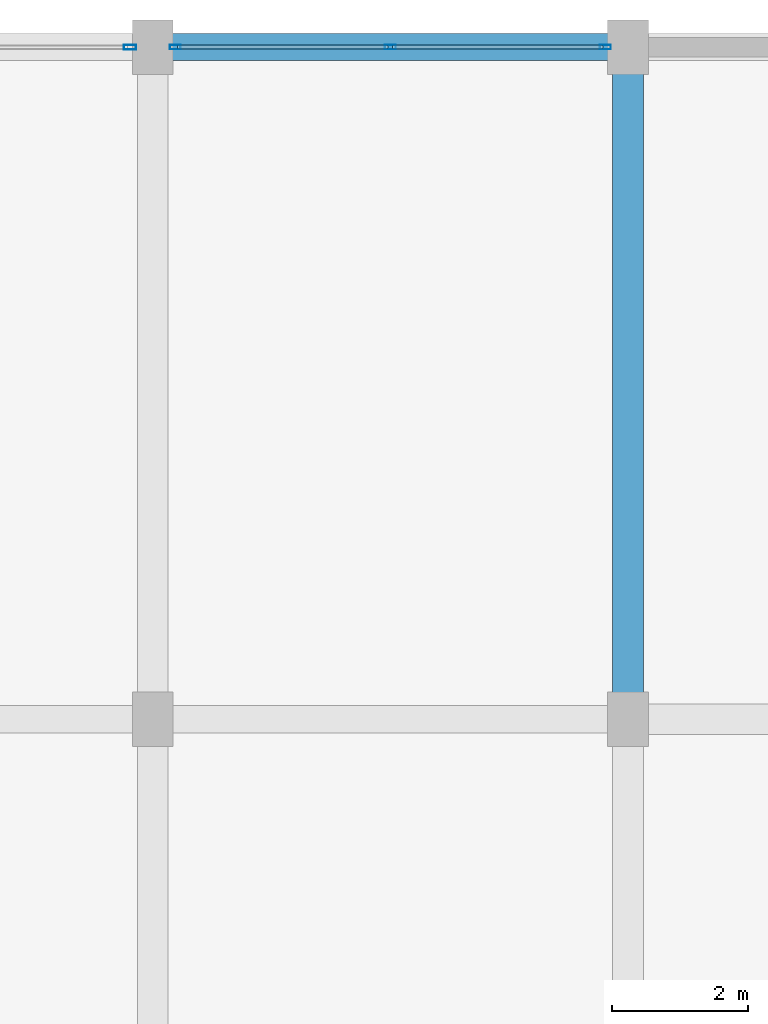
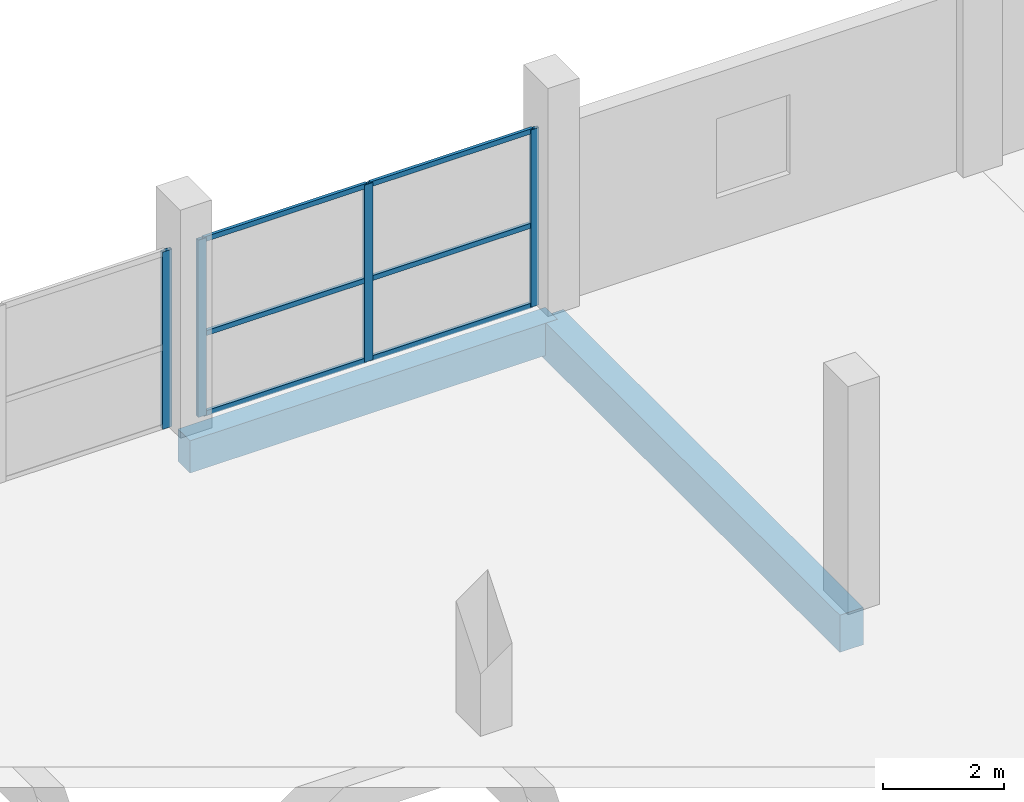
# One storey, part 33 of 58: 10 members, 2 beams, 2 elements without a shape of their own.
"""IFC4 building model written with IfcOpenShell, lengths in metres."""

from ifc_helpers import new_model, si_unit, direction, frame, origin, origin_2d, place, context, subcontext, project, spatial, rectangle, hollow_rectangle, extrude, material, layer, layer_set, material_profile, profile_set, type_object, element, aggregate, save


model = new_model("IFC4")

# Units and contexts
model_context = context("Model", 3, precision=1e-05, world=origin(), true_north=direction((0.0, 1.0)))
body_context = subcontext(model_context, "Body", "Model", "MODEL_VIEW")
ifc_project = project(units=[si_unit("LENGTHUNIT", "METRE"), si_unit("AREAUNIT", "SQUARE_METRE"), si_unit("VOLUMEUNIT", "CUBIC_METRE"), si_unit("PLANEANGLEUNIT", "RADIAN"), si_unit("MASSUNIT", "GRAM", prefix="KILO")], contexts=[model_context])

# Site, building, storey
site_placement = place(None, origin())
site = spatial("IfcSite", under=ifc_project, at=site_placement, CompositionType="ELEMENT")
building_placement = place(site_placement, origin())
building = spatial("IfcBuilding", under=site, at=building_placement, Name="Sillaruma Civic Art Gallery", CompositionType="ELEMENT")
storey_placement = place(building_placement, frame((0.0, 0.0, 28.56005859375)))
storey = spatial("IfcBuildingStorey", under=building, at=storey_placement, Name="L05", CompositionType="ELEMENT", Elevation=28.56005859375)

# Beams
ifc_material_1 = material(Name="Concrete H40 (40 MPa)", Category="concrete")
ifc_material_profile_1 = material_profile(ifc_material_1, rectangle(XDim=0.449951171875, YDim=0.75, at=origin_2d()), Name="RCB450x750")
ifc_profile_set_1 = profile_set([ifc_material_profile_1], Name="Concrete H40 (40 MPa)")
beam_type_1 = type_object("IfcBeamType", Name="BM-BEAM-RCB450x750", PredefinedType="BEAM", material=ifc_profile_set_1)
beam_1_placement = place(storey_placement, frame((84.0, 89.10009765625, -0.655029296875), z_axis=(0.0, 1.0, 0.0), x_axis=(-1.0, 0.0, 0.0)))
element("IfcBeam", 1, at=beam_1_placement, inside=storey, type_object=beam_type_1, Name="Beam BM-03 (L04:J:10-11)", PredefinedType="BEAM", context=body_context, shape_type="SweptSolid", body=[
    extrude(rectangle(XDim=0.449951171875, YDim=0.75, at=origin_2d()), origin(), (0.0, 0.0, 1.0), 9.89990234375),
])
ifc_material_2 = material(Name="Concrete H35 (35 MPa)", Category="concrete")
ifc_material_profile_2 = material_profile(ifc_material_2, rectangle(XDim=0.39990234375, YDim=0.64990234375, at=origin_2d()), Name="RCB400x650")
ifc_profile_set_2 = profile_set([ifc_material_profile_2], Name="Concrete H35 (35 MPa)")
beam_type_2 = type_object("IfcBeamType", Name="BM-SPANDREL-RCB400x650", PredefinedType="SPANDREL", material=ifc_profile_set_2)
beam_2_placement = place(storey_placement, frame((77.0, 99.0, -0.60498046875), z_axis=(1.0, 0.0, 0.0), x_axis=(0.0, 1.0, 0.0)))
element("IfcBeam", 2, at=beam_2_placement, inside=storey, type_object=beam_type_2, Name="Beam BS-02 (L04:11:H-J)", PredefinedType="SPANDREL", context=body_context, shape_type="SweptSolid", body=[
    extrude(rectangle(XDim=0.39990234375, YDim=0.64990234375, at=origin_2d()), origin(), (0.0, 0.0, 1.0), 7.0),
])

# Curtain wall, members
ifc_material_3 = material(Name="Thermally Broken Extruded Aluminium 6063-T6", Category="aluminium")
ifc_layer_1 = layer(ifc_material_3, 0.159912109375, Name="Thermally Broken Extruded Aluminium 6063-T6")
ifc_layer_set_1 = layer_set([ifc_layer_1], Name="Thermally Broken Extruded Aluminium 6063-T6")
curtain_wall_type_1 = type_object("IfcCurtainWallType", Name="CW-UNI-37", PredefinedType="NOTDEFINED", material=ifc_layer_set_1)
curtain_wall_1_placement = place(storey_placement, origin())
curtain_wall_1 = element("IfcCurtainWall", 3, at=curtain_wall_1_placement, inside=storey, type_object=curtain_wall_type_1, Name="Unitised Curtain Wall CW-37 (CW-L05-N-3)", PredefinedType="NOTDEFINED")
ifc_material_profile_3 = material_profile(ifc_material_3, hollow_rectangle(XDim=0.06494140625, YDim=0.159912109375, WallThickness=0.00390625, at=origin_2d()), Name="CWM65x160")
ifc_profile_set_3 = profile_set([ifc_material_profile_3], Name="Thermally Broken Extruded Aluminium 6063-T6")
member_type_1 = type_object("IfcMemberType", Name="MEM-MUL-CWM65x160", PredefinedType="MULLION", material=ifc_profile_set_3)
member_1_placement = place(storey_placement, frame((77.33251953125, 99.0, 0.0), z_axis=(0.0, 0.0, 1.0), x_axis=(0.0, 1.0, 0.0)))
member_1 = element("IfcMember", 4, at=member_1_placement, type_object=member_type_1, Name="CW-37 mullion 1", PredefinedType="MULLION", context=body_context, shape_type="SweptSolid", body=[
    extrude(hollow_rectangle(XDim=0.06494140625, YDim=0.159912109375, WallThickness=0.00390625, at=origin_2d()), origin(), (0.0, 0.0, 1.0), 3.56982421875),
])
member_2_placement = place(storey_placement, frame((80.5, 99.0, 0.0), z_axis=(0.0, 0.0, 1.0), x_axis=(0.0, 1.0, 0.0)))
member_2 = element("IfcMember", 5, at=member_2_placement, type_object=member_type_1, Name="CW-37 mullion 2", PredefinedType="MULLION", context=body_context, shape_type="SweptSolid", body=[
    extrude(hollow_rectangle(XDim=0.06494140625, YDim=0.159912109375, WallThickness=0.00390625, at=origin_2d()), origin(), (0.0, 0.0, 1.0), 3.56982421875),
])
member_3_placement = place(storey_placement, frame((83.66748046875, 99.0, 0.0), z_axis=(0.0, 0.0, 1.0), x_axis=(0.0, 1.0, 0.0)))
member_3 = element("IfcMember", 6, at=member_3_placement, type_object=member_type_1, Name="CW-37 mullion 3", PredefinedType="MULLION", context=body_context, shape_type="SweptSolid", body=[
    extrude(hollow_rectangle(XDim=0.06494140625, YDim=0.159912109375, WallThickness=0.00390625, at=origin_2d()), origin(), (0.0, 0.0, 1.0), 3.56982421875),
])

# Curtain wall, member
ifc_layer_2 = layer(ifc_material_3, 0.179931640625, Name="Thermally Broken Extruded Aluminium 6063-T6")
ifc_layer_set_2 = layer_set([ifc_layer_2], Name="Thermally Broken Extruded Aluminium 6063-T6")
curtain_wall_type_2 = type_object("IfcCurtainWallType", Name="CW-UNI-36", PredefinedType="NOTDEFINED", material=ifc_layer_set_2)
curtain_wall_2_placement = place(storey_placement, origin())
curtain_wall_2 = element("IfcCurtainWall", 7, at=curtain_wall_2_placement, inside=storey, type_object=curtain_wall_type_2, Name="Unitised Curtain Wall CW-36 (CW-L05-N-2)", PredefinedType="NOTDEFINED")
ifc_material_profile_4 = material_profile(ifc_material_3, hollow_rectangle(XDim=0.070068359375, YDim=0.179931640625, WallThickness=0.00390625, at=origin_2d()), Name="CWM70x180")
ifc_profile_set_4 = profile_set([ifc_material_profile_4], Name="Thermally Broken Extruded Aluminium 6063-T6")
member_type_2 = type_object("IfcMemberType", Name="MEM-MUL-CWM70x180", PredefinedType="MULLION", material=ifc_profile_set_4)
member_4_placement = place(storey_placement, frame((76.6650390625, 99.0, 0.0), z_axis=(0.0, 0.0, 1.0), x_axis=(0.0, 1.0, 0.0)))
member_4 = element("IfcMember", 8, at=member_4_placement, type_object=member_type_2, Name="CW-36 mullion 3", PredefinedType="MULLION", context=body_context, shape_type="SweptSolid", body=[
    extrude(hollow_rectangle(XDim=0.070068359375, YDim=0.179931640625, WallThickness=0.00390625, at=origin_2d()), origin(), (0.0, 0.0, 1.0), 3.56982421875),
])
aggregate(curtain_wall_2, [member_4])

# Member
ifc_material_profile_5 = material_profile(ifc_material_3, hollow_rectangle(XDim=0.06005859375, YDim=0.10009765625, WallThickness=0.003173828125, at=origin_2d()), Name="CWT60x100")
ifc_profile_set_5 = profile_set([ifc_material_profile_5], Name="Thermally Broken Extruded Aluminium 6063-T6")
member_type_3 = type_object("IfcMemberType", Name="MEM-TRN-CWT60x100", PredefinedType="USERDEFINED", material=ifc_profile_set_5)
member_5_placement = place(storey_placement, frame((77.364990234375, 99.0, 0.030029296875), z_axis=(1.0, 0.0, 0.0), x_axis=(0.0, 1.0, 0.0)))
member_5 = element("IfcMember", 9, at=member_5_placement, type_object=member_type_3, Name="CW-37 transom 1.1", ObjectType="TRANSOM", PredefinedType="USERDEFINED", context=body_context, shape_type="SweptSolid", body=[
    extrude(hollow_rectangle(XDim=0.06005859375, YDim=0.10009765625, WallThickness=0.003173828125, at=origin_2d()), origin(), (0.0, 0.0, 1.0), 3.1025390625),
])

member_6_placement = place(storey_placement, frame((77.364990234375, 99.0, 1.64208984375), z_axis=(1.0, 0.0, 0.0), x_axis=(0.0, 1.0, 0.0)))
member_6 = element("IfcMember", 10, at=member_6_placement, type_object=member_type_3, Name="CW-37 transom 1.2", ObjectType="TRANSOM", PredefinedType="USERDEFINED", context=body_context, shape_type="SweptSolid", body=[
    extrude(hollow_rectangle(XDim=0.06005859375, YDim=0.10009765625, WallThickness=0.003173828125, at=origin_2d()), origin(), (0.0, 0.0, 1.0), 3.1025390625),
])

member_7_placement = place(storey_placement, frame((77.364990234375, 99.0, 3.5400390625), z_axis=(1.0, 0.0, 0.0), x_axis=(0.0, 1.0, 0.0)))
member_7 = element("IfcMember", 11, at=member_7_placement, type_object=member_type_3, Name="CW-37 transom 1.3", ObjectType="TRANSOM", PredefinedType="USERDEFINED", context=body_context, shape_type="SweptSolid", body=[
    extrude(hollow_rectangle(XDim=0.06005859375, YDim=0.10009765625, WallThickness=0.003173828125, at=origin_2d()), origin(), (0.0, 0.0, 1.0), 3.1025390625),
])

member_8_placement = place(storey_placement, frame((80.532470703125, 99.0, 0.030029296875), z_axis=(1.0, 0.0, 0.0), x_axis=(0.0, 1.0, 0.0)))
member_8 = element("IfcMember", 12, at=member_8_placement, type_object=member_type_3, Name="CW-37 transom 2.1", ObjectType="TRANSOM", PredefinedType="USERDEFINED", context=body_context, shape_type="SweptSolid", body=[
    extrude(hollow_rectangle(XDim=0.06005859375, YDim=0.10009765625, WallThickness=0.003173828125, at=origin_2d()), origin(), (0.0, 0.0, 1.0), 3.1025390625),
])

member_9_placement = place(storey_placement, frame((80.532470703125, 99.0, 1.64208984375), z_axis=(1.0, 0.0, 0.0), x_axis=(0.0, 1.0, 0.0)))
member_9 = element("IfcMember", 13, at=member_9_placement, type_object=member_type_3, Name="CW-37 transom 2.2", ObjectType="TRANSOM", PredefinedType="USERDEFINED", context=body_context, shape_type="SweptSolid", body=[
    extrude(hollow_rectangle(XDim=0.06005859375, YDim=0.10009765625, WallThickness=0.003173828125, at=origin_2d()), origin(), (0.0, 0.0, 1.0), 3.1025390625),
])

member_10_placement = place(storey_placement, frame((80.532470703125, 99.0, 3.5400390625), z_axis=(1.0, 0.0, 0.0), x_axis=(0.0, 1.0, 0.0)))
member_10 = element("IfcMember", 14, at=member_10_placement, type_object=member_type_3, Name="CW-37 transom 2.3", ObjectType="TRANSOM", PredefinedType="USERDEFINED", context=body_context, shape_type="SweptSolid", body=[
    extrude(hollow_rectangle(XDim=0.06005859375, YDim=0.10009765625, WallThickness=0.003173828125, at=origin_2d()), origin(), (0.0, 0.0, 1.0), 3.1025390625),
])

aggregate(curtain_wall_1, [member_1, member_2, member_3, member_5, member_6, member_7, member_8, member_9, member_10])

save(model, "model.ifc")
